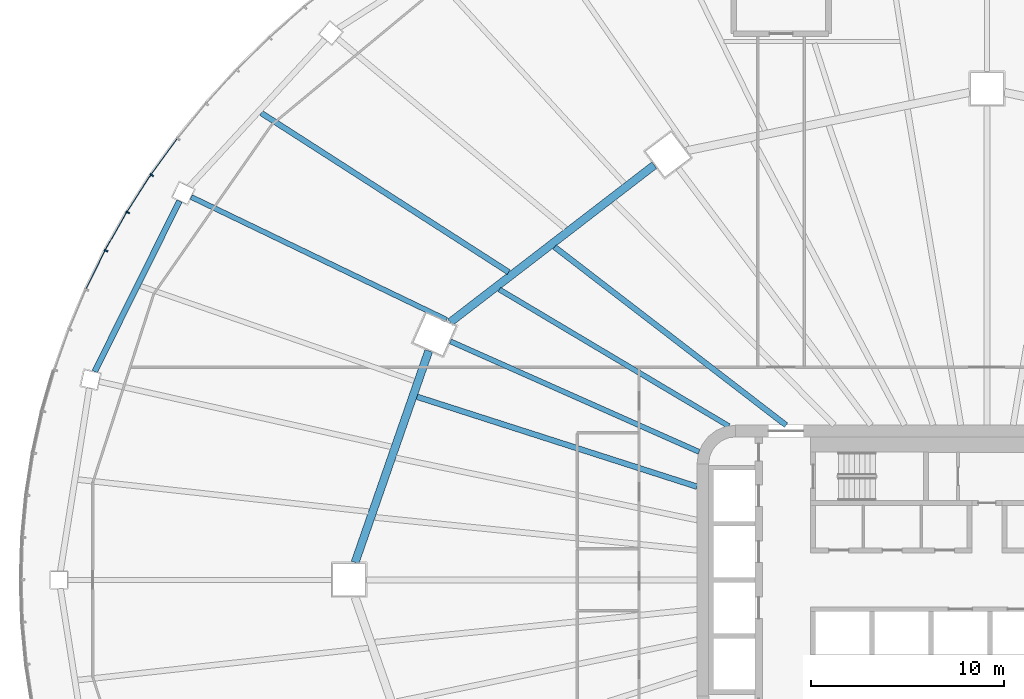
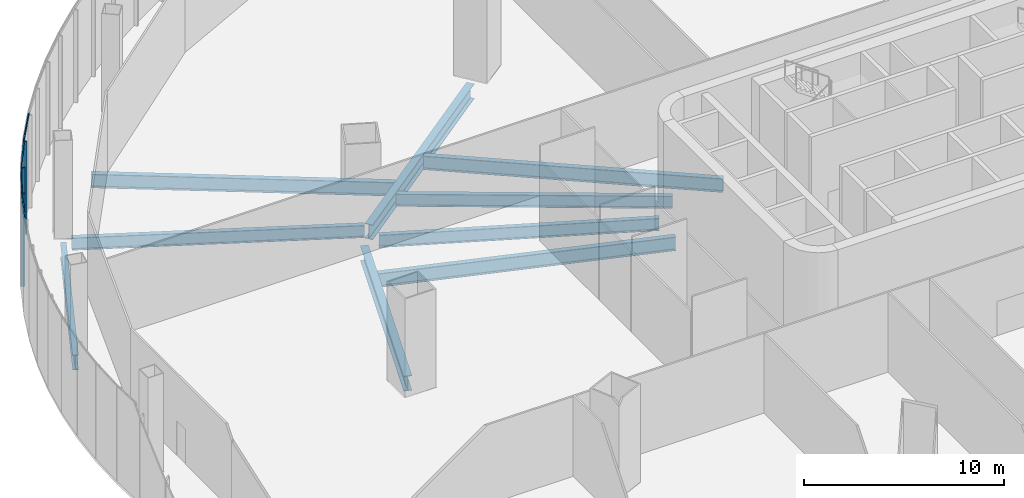
# One storey, part 7 of 37: 9 beams, 7 members, 2 elements without a shape of their own.
"""IFC4 building model written with IfcOpenShell, lengths in metres."""

from ifc_helpers import new_model, si_unit, direction, frame, origin, origin_2d, place, context, subcontext, project, spatial, rectangle, i_section, extrude, material, layer, layer_set, material_profile, profile_set, type_object, element, aggregate, save


model = new_model("IFC4")

# Units and contexts
model_context = context("Model", 3, precision=1e-05, world=origin(), true_north=direction((0.0, 1.0)))
body_context = subcontext(model_context, "Body", "Model", "MODEL_VIEW")
ifc_project = project(units=[si_unit("LENGTHUNIT", "METRE"), si_unit("AREAUNIT", "SQUARE_METRE"), si_unit("VOLUMEUNIT", "CUBIC_METRE"), si_unit("PLANEANGLEUNIT", "RADIAN"), si_unit("MASSUNIT", "GRAM", prefix="KILO")], contexts=[model_context])

# Site, building, storey
site_placement = place(None, origin())
site = spatial("IfcSite", under=ifc_project, at=site_placement, CompositionType="ELEMENT")
building_placement = place(site_placement, origin())
building = spatial("IfcBuilding", under=site, at=building_placement, Name="Sahrelin Media Tower", CompositionType="ELEMENT")
storey_placement = place(building_placement, frame((0.0, 0.0, 31.39990234375)))
storey = spatial("IfcBuildingStorey", under=building, at=storey_placement, Name="L04", CompositionType="ELEMENT", Elevation=31.39990234375)

# Curtain wall, members
ifc_material_1 = material(Name="Champagne anodised aluminium 6063-T6", Category="aluminium")
ifc_layer = layer(ifc_material_1, 0.14990234375)
ifc_layer_set = layer_set([ifc_layer], Name="Podium ribbon curtain wall")
curtain_wall_type = type_object("IfcCurtainWallType", Name="Podium ribbon curtain wall", PredefinedType="NOTDEFINED", material=ifc_layer_set)
curtain_wall_1_placement = place(storey_placement, frame((-43.30126953125, 21.0, 0.0), z_axis=(0.0, 0.0, 1.0), x_axis=(1.0, 0.0, 0.0)))
curtain_wall_1 = element("IfcCurtainWall", 1, at=curtain_wall_1_placement, inside=storey, type_object=curtain_wall_type, Name="L04:CW:L04-P10", PredefinedType="NOTDEFINED")
ifc_material_profile_1 = material_profile(ifc_material_1, rectangle(XDim=0.080078125, YDim=0.199951171875, at=origin_2d()), Name="Mullion 80x200")
ifc_profile_set_1 = profile_set([ifc_material_profile_1], Name="Champagne anodised aluminium 6063-T6")
member_type_1 = type_object("IfcMemberType", Name="Mullion 80x200 CW5", PredefinedType="MULLION", material=ifc_profile_set_1)
member_1_placement = place(storey_placement, frame((-43.200439453125, 20.934814453125, 0.0), z_axis=(0.0, 0.0, 1.0), x_axis=(-0.542830032192, -0.839842578196, 0.0)))
member_1 = element("IfcMember", 2, at=member_1_placement, type_object=member_type_1, Name="L04:CWM1:L04-P10", PredefinedType="MULLION", context=body_context, shape_type="SweptSolid", body=[
    extrude(rectangle(XDim=0.080078125, YDim=0.199951171875, at=origin_2d()), origin(), (0.0, 0.0, 1.0), 5.650146484375),
])
member_2_placement = place(storey_placement, frame((-44.446044921875, 19.00830078125, 0.0), z_axis=(0.0, 0.0, 1.0), x_axis=(-0.493787068155, -0.869582849028, 0.0)))
member_2 = element("IfcMember", 3, at=member_2_placement, type_object=member_type_1, Name="L04:CWM2:L04-P10", PredefinedType="MULLION", context=body_context, shape_type="SweptSolid", body=[
    extrude(rectangle(XDim=0.080078125, YDim=0.199951171875, at=origin_2d()), origin(), (0.0, 0.0, 1.0), 5.650146484375),
])
member_3_placement = place(storey_placement, frame((-45.569580078125, 17.02978515625, 0.0), z_axis=(0.0, 0.0, 1.0), x_axis=(-0.442262079274, -0.896885864108, 0.0)))
member_3 = element("IfcMember", 4, at=member_3_placement, type_object=member_type_1, Name="L04:CWM3:L04-P10", PredefinedType="MULLION", context=body_context, shape_type="SweptSolid", body=[
    extrude(rectangle(XDim=0.080078125, YDim=0.199951171875, at=origin_2d()), origin(), (0.0, 0.0, 1.0), 5.650146484375),
])

# Beams
ifc_material_2 = material(Name="Steel S355", Category="steel")
ifc_material_profile_2 = material_profile(ifc_material_2, i_section(OverallWidth=0.30322265625, OverallDepth=0.903076171875, WebThickness=0.01513671875, FlangeThickness=0.020263671875, FilletRadius=0.01904296875, at=origin_2d()), Name="UB 914x305x201")
ifc_profile_set_2 = profile_set([ifc_material_profile_2], Name="Steel S355")
beam_type_1 = type_object("IfcBeamType", Name="Podium edge girder PE11", PredefinedType="BEAM", material=ifc_profile_set_2)
beam_1_placement = place(storey_placement, frame((-41.76953125, 19.596923828125, -0.6513671875), z_axis=(-0.445112588569, -0.895474613541, 0.0), x_axis=(0.895474613541, -0.445112588569, 0.0)))
element("IfcBeam", 5, at=beam_1_placement, inside=storey, type_object=beam_type_1, Name="Podium edge girder L04-11", PredefinedType="BEAM", context=body_context, shape_type="SweptSolid", body=[
    extrude(i_section(OverallWidth=0.30322265625, OverallDepth=0.903076171875, WebThickness=0.01513671875, FlangeThickness=0.020263671875, FilletRadius=0.01904296875, at=origin_2d()), origin(), (0.0, 0.0, 1.0), 9.859619140625),
])
ifc_material_profile_3 = material_profile(ifc_material_2, i_section(OverallWidth=0.41845703125, OverallDepth=0.911865234375, WebThickness=0.019287109375, FlangeThickness=0.031982421875, FilletRadius=0.024169921875, at=origin_2d()), Name="UB 914x419x343")
ifc_profile_set_3 = profile_set([ifc_material_profile_3], Name="Steel S355")
beam_type_2 = type_object("IfcBeamType", Name="Podium ring girder PG12", PredefinedType="BEAM", material=ifc_profile_set_3)
beam_2_placement = place(storey_placement, frame((-17.21337890625, 21.447998046875, -0.65576171875), z_axis=(-0.792445416108, -0.609942835428, 0.0), x_axis=(0.609942835428, -0.792445416108, 0.0)))
element("IfcBeam", 6, at=beam_2_placement, inside=storey, type_object=beam_type_2, Name="Podium girder L04-05", PredefinedType="BEAM", context=body_context, shape_type="SweptSolid", body=[
    extrude(i_section(OverallWidth=0.41845703125, OverallDepth=0.911865234375, WebThickness=0.019287109375, FlangeThickness=0.031982421875, FilletRadius=0.024169921875, at=origin_2d()), origin(), (0.0, 0.0, 1.0), 13.318603515625),
])
beam_3_placement = place(storey_placement, frame((-28.875732421875, 11.84716796875, -0.65576171875), z_axis=(-0.328773851324, -0.944408679908, 0.0), x_axis=(0.944408679908, -0.328773851324, 0.0)))
element("IfcBeam", 7, at=beam_3_placement, inside=storey, type_object=beam_type_2, Name="Podium girder L04-06", PredefinedType="BEAM", context=body_context, shape_type="SweptSolid", body=[
    extrude(i_section(OverallWidth=0.41845703125, OverallDepth=0.911865234375, WebThickness=0.019287109375, FlangeThickness=0.031982421875, FilletRadius=0.024169921875, at=origin_2d()), origin(), (0.0, 0.0, 1.0), 11.591552734375),
])
ifc_material_profile_4 = material_profile(ifc_material_2, i_section(OverallWidth=0.291748046875, OverallDepth=0.8349609375, WebThickness=0.013916015625, FlangeThickness=0.018798828125, FilletRadius=0.017822265625, at=origin_2d()), Name="UB 838x292x176")
ifc_profile_set_4 = profile_set([ifc_material_profile_4], Name="Steel S355")
beam_type_3 = type_object("IfcBeamType", Name="Radial primary beam PB10", PredefinedType="BEAM", material=ifc_profile_set_4)
beam_4_placement = place(storey_placement, frame((-10.393798828125, 8.0, -0.6171875), z_axis=(-0.79244196099, 0.609947324335, 0.0), x_axis=(-0.609947324335, -0.79244196099, 0.0)))
element("IfcBeam", 8, at=beam_4_placement, inside=storey, type_object=beam_type_3, Name="Radial beam L04-10", PredefinedType="BEAM", context=body_context, shape_type="SweptSolid", body=[
    extrude(i_section(OverallWidth=0.291748046875, OverallDepth=0.8349609375, WebThickness=0.013916015625, FlangeThickness=0.018798828125, FilletRadius=0.017822265625, at=origin_2d()), origin(), (0.0, 0.0, 1.0), 15.1103515625),
])
ifc_material_profile_5 = material_profile(ifc_material_2, i_section(OverallWidth=0.26513671875, OverallDepth=0.75390625, WebThickness=0.0126953125, FlangeThickness=0.017578125, FilletRadius=0.0166015625, at=origin_2d()), Name="UB 762x267x147")
ifc_profile_set_5 = profile_set([ifc_material_profile_5], Name="Steel S355")
beam_type_4 = type_object("IfcBeamType", Name="Radial primary beam PB9", PredefinedType="BEAM", material=ifc_profile_set_5)
beam_5_placement = place(storey_placement, frame((-14.890625, 6.6171875, -0.576904296875), z_axis=(-0.913833000058, 0.406090196883, 0.0), x_axis=(-0.406090196883, -0.913833000058, 0.0)))
element("IfcBeam", 9, at=beam_5_placement, inside=storey, type_object=beam_type_4, Name="Radial beam L04-11", PredefinedType="BEAM", context=body_context, shape_type="SweptSolid", body=[
    extrude(i_section(OverallWidth=0.26513671875, OverallDepth=0.75390625, WebThickness=0.0126953125, FlangeThickness=0.017578125, FilletRadius=0.0166015625, at=origin_2d()), origin(), (0.0, 0.0, 1.0), 14.078857421875),
])
beam_6_placement = place(storey_placement, frame((-27.950439453125, 13.44775390625, -0.576904296875), z_axis=(-0.901130102072, 0.433548773657, 0.0), x_axis=(-0.433548773657, -0.901130102072, 0.0)))
element("IfcBeam", 10, at=beam_6_placement, inside=storey, type_object=beam_type_4, Name="Radial beam L04-13", PredefinedType="BEAM", context=body_context, shape_type="SweptSolid", body=[
    extrude(i_section(OverallWidth=0.26513671875, OverallDepth=0.75390625, WebThickness=0.0126953125, FlangeThickness=0.017578125, FilletRadius=0.0166015625, at=origin_2d()), origin(), (0.0, 0.0, 1.0), 14.6630859375),
])
ifc_material_profile_6 = material_profile(ifc_material_2, i_section(OverallWidth=0.291748046875, OverallDepth=0.8349609375, WebThickness=0.013916015625, FlangeThickness=0.018798828125, FilletRadius=0.017822265625, at=origin_2d()), Name="UB 838x292x176")
ifc_profile_set_6 = profile_set([ifc_material_profile_6], Name="Steel S355")
beam_type_5 = type_object("IfcBeamType", Name="Radial secondary beam SB10", PredefinedType="BEAM", material=ifc_profile_set_6)
beam_7_placement = place(storey_placement, frame((-15.0, 4.81787109375, -0.6171875), z_axis=(-0.952096340592, 0.305798231244, 0.0), x_axis=(-0.305798231244, -0.952096340592, 0.0)))
element("IfcBeam", 11, at=beam_7_placement, inside=storey, type_object=beam_type_5, Name="Secondary beam L04-11", PredefinedType="BEAM", context=body_context, shape_type="SweptSolid", body=[
    extrude(i_section(OverallWidth=0.291748046875, OverallDepth=0.8349609375, WebThickness=0.013916015625, FlangeThickness=0.018798828125, FilletRadius=0.017822265625, at=origin_2d()), origin(), (0.0, 0.0, 1.0), 15.210693359375),
])
beam_8_placement = place(storey_placement, frame((-24.744140625, 15.91552734375, -0.6171875), z_axis=(-0.84104292767, 0.540968385228, 0.0), x_axis=(-0.540968385228, -0.84104292767, 0.0)))
element("IfcBeam", 12, at=beam_8_placement, inside=storey, type_object=beam_type_5, Name="Secondary beam L04-10", PredefinedType="BEAM", context=body_context, shape_type="SweptSolid", body=[
    extrude(i_section(OverallWidth=0.291748046875, OverallDepth=0.8349609375, WebThickness=0.013916015625, FlangeThickness=0.018798828125, FilletRadius=0.017822265625, at=origin_2d()), origin(), (0.0, 0.0, 1.0), 15.218505859375),
])
ifc_material_profile_7 = material_profile(ifc_material_2, i_section(OverallWidth=0.26513671875, OverallDepth=0.75390625, WebThickness=0.0126953125, FlangeThickness=0.017578125, FilletRadius=0.0166015625, at=origin_2d()), Name="UB 762x267x147")
ifc_profile_set_7 = profile_set([ifc_material_profile_7], Name="Steel S355")
beam_type_6 = type_object("IfcBeamType", Name="Radial secondary beam SB9", PredefinedType="BEAM", material=ifc_profile_set_7)
beam_9_placement = place(storey_placement, frame((-13.356201171875, 7.953125, -0.576904296875), z_axis=(-0.859199265621, 0.511641106594, 0.0), x_axis=(-0.511641106594, -0.859199265621, 0.0)))
element("IfcBeam", 13, at=beam_9_placement, inside=storey, type_object=beam_type_6, Name="Secondary beam L04-10", PredefinedType="BEAM", context=body_context, shape_type="SweptSolid", body=[
    extrude(i_section(OverallWidth=0.26513671875, OverallDepth=0.75390625, WebThickness=0.0126953125, FlangeThickness=0.017578125, FilletRadius=0.0166015625, at=origin_2d()), origin(), (0.0, 0.0, 1.0), 13.810791015625),
])

# Curtain wall, member
curtain_wall_2_placement = place(storey_placement, frame((-35.355224609375, 29.698486328125, 0.0), z_axis=(0.0, 0.0, 1.0), x_axis=(1.0, 0.0, 0.0)))
curtain_wall_2 = element("IfcCurtainWall", 14, at=curtain_wall_2_placement, inside=storey, type_object=curtain_wall_type, Name="L04:CW:L04-P09", PredefinedType="NOTDEFINED")
ifc_material_profile_8 = material_profile(ifc_material_1, rectangle(XDim=0.06005859375, YDim=0.14990234375, at=origin_2d()), Name="Transom 60x150")
ifc_profile_set_8 = profile_set([ifc_material_profile_8], Name="Champagne anodised aluminium 6063-T6")
member_type_2 = type_object("IfcMemberType", Name="Transom 60x150 CW5", PredefinedType="USERDEFINED", material=ifc_profile_set_8)
member_4_placement = place(storey_placement, frame((-41.922607421875, 22.804931640625, 5.72509765625), z_axis=(-0.589385639376, -0.807851823107, 0.0), x_axis=(0.807851823107, -0.589385639376, 0.0)))
member_4 = element("IfcMember", 15, at=member_4_placement, type_object=member_type_2, Name="L04:CWT5a:L04-P09", ObjectType="TRANSOM", PredefinedType="USERDEFINED", context=body_context, shape_type="SweptSolid", body=[
    extrude(rectangle(XDim=0.06005859375, YDim=0.14990234375, at=origin_2d()), origin(), (0.0, 0.0, 1.0), 2.270751953125),
])
aggregate(curtain_wall_2, [member_4])

# Member
member_5_placement = place(storey_placement, frame((-43.286376953125, 20.930908203125, 5.72509765625), z_axis=(-0.542855461476, -0.8398261415, 0.0), x_axis=(0.8398261415, -0.542855461476, 0.0)))
member_5 = element("IfcMember", 16, at=member_5_placement, type_object=member_type_2, Name="L04:CWT1a:L04-P10", ObjectType="TRANSOM", PredefinedType="USERDEFINED", context=body_context, shape_type="SweptSolid", body=[
    extrude(rectangle(XDim=0.06005859375, YDim=0.14990234375, at=origin_2d()), origin(), (0.0, 0.0, 1.0), 2.2509765625),
])

member_6_placement = place(storey_placement, frame((-44.531494140625, 18.99951171875, 5.72509765625), z_axis=(-0.49374634774, -0.869605970594, 0.0), x_axis=(0.869605970594, -0.49374634774, 0.0)))
member_6 = element("IfcMember", 17, at=member_6_placement, type_object=member_type_2, Name="L04:CWT2a:L04-P10", ObjectType="TRANSOM", PredefinedType="USERDEFINED", context=body_context, shape_type="SweptSolid", body=[
    extrude(rectangle(XDim=0.06005859375, YDim=0.14990234375, at=origin_2d()), origin(), (0.0, 0.0, 1.0), 2.232421875),
])

member_7_placement = place(storey_placement, frame((-45.654541015625, 17.015869140625, 5.72509765625), z_axis=(-0.442313130509, -0.896860688501, 0.0), x_axis=(0.896860688501, -0.442313130509, 0.0)))
member_7 = element("IfcMember", 18, at=member_7_placement, type_object=member_type_2, Name="L04:CWT3a:L04-P10", ObjectType="TRANSOM", PredefinedType="USERDEFINED", context=body_context, shape_type="SweptSolid", body=[
    extrude(rectangle(XDim=0.06005859375, YDim=0.14990234375, at=origin_2d()), origin(), (0.0, 0.0, 1.0), 2.215087890625),
])

aggregate(curtain_wall_1, [member_1, member_5, member_2, member_6, member_3, member_7])

save(model, "model.ifc")
